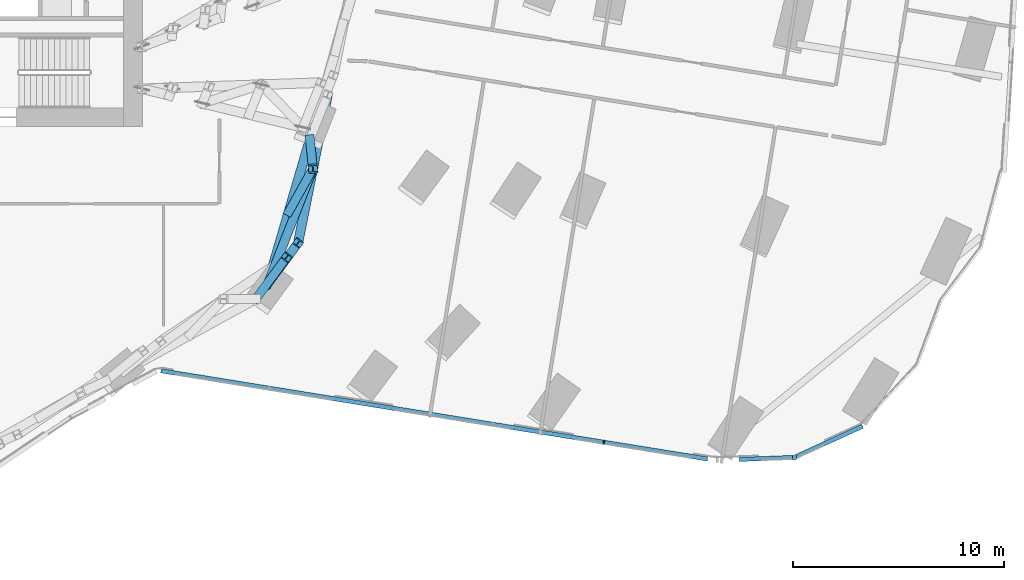
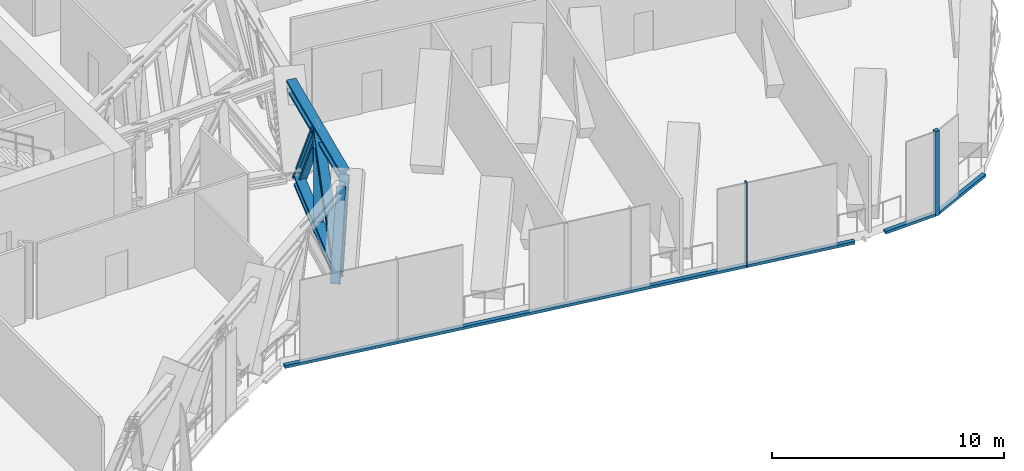
# One storey, part 9 of 39: 12 members, 3 elements without a shape of their own.
"""IFC4 building model written with IfcOpenShell, lengths in metres."""

from ifc_helpers import new_model, si_unit, direction, frame, origin, origin_2d, place, context, subcontext, project, spatial, rectangle, i_section, extrude, material, material_profile, profile_set, type_object, element, aggregate, save


model = new_model("IFC4")

# Units and contexts
model_context = context("Model", 3, precision=1e-05, world=origin(), true_north=direction((0.0, 1.0)))
body_context = subcontext(model_context, "Body", "Model", "MODEL_VIEW")
ifc_project = project(units=[si_unit("LENGTHUNIT", "METRE"), si_unit("AREAUNIT", "SQUARE_METRE"), si_unit("VOLUMEUNIT", "CUBIC_METRE"), si_unit("PLANEANGLEUNIT", "RADIAN"), si_unit("MASSUNIT", "GRAM", prefix="KILO")], contexts=[model_context])

# Site, building, storey
site_placement = place(None, origin())
site = spatial("IfcSite", under=ifc_project, at=site_placement, CompositionType="ELEMENT")
building_placement = place(site_placement, origin())
building = spatial("IfcBuilding", under=site, at=building_placement, Name="Orlundy Tower", CompositionType="ELEMENT")
storey_placement = place(building_placement, frame((0.0, 0.0, 141.199951171875)))
storey = spatial("IfcBuildingStorey", under=building, at=storey_placement, Name="L36", CompositionType="ELEMENT", Elevation=141.199951171875)

# Members
ifc_material_1 = material(Name="Steel ASTM A992 Gr 50", Category="steel")
ifc_material_profile_1 = material_profile(ifc_material_1, i_section(OverallWidth=0.4423828125, OverallDepth=0.531494140625, WebThickness=0.06591796875, FlangeThickness=0.105712890625, at=origin_2d()), Name="W14X605")
ifc_profile_set_1 = profile_set([ifc_material_profile_1], Name="Steel ASTM A992 Gr 50")
member_type_1 = type_object("IfcMemberType", Name="BELT TRUSS chord W14X605", PredefinedType="CHORD", material=ifc_profile_set_1)
member_1_placement = place(storey_placement, frame((24.92529296875, -19.48046875, 0.28466796875), z_axis=(0.280741187657, 0.959783509732, 0.0), x_axis=(-0.959783509732, 0.280741187657, 0.0)))
element("IfcMember", 1, at=member_1_placement, inside=storey, type_object=member_type_1, Name="Belt truss bottom chord BT-10", PredefinedType="CHORD", context=body_context, shape_type="SweptSolid", body=[
    extrude(i_section(OverallWidth=0.4423828125, OverallDepth=0.531494140625, WebThickness=0.06591796875, FlangeThickness=0.105712890625, at=origin_2d()), origin(), (0.0, 0.0, 1.0), 7.1708984375),
])
member_2_placement = place(storey_placement, frame((26.378662109375, -17.5048828125, 3.71533203125), z_axis=(0.195906646846, 0.980622550078, 0.0), x_axis=(-0.980622550078, 0.195906646846, 0.0)))
element("IfcMember", 2, at=member_2_placement, inside=storey, type_object=member_type_1, Name="Belt truss top chord BT-10", PredefinedType="CHORD", context=body_context, shape_type="SweptSolid", body=[
    extrude(i_section(OverallWidth=0.4423828125, OverallDepth=0.531494140625, WebThickness=0.06591796875, FlangeThickness=0.105712890625, at=origin_2d()), origin(), (0.0, 0.0, 1.0), 7.171875),
])
ifc_material_2 = material(Name="Steel ASTM A992 Gr 50", Category="steel")
ifc_material_profile_2 = material_profile(ifc_material_2, i_section(OverallWidth=0.42431640625, OverallDepth=0.47412109375, WebThickness=0.0478515625, FlangeThickness=0.0771484375, at=origin_2d()), Name="W14X426")
ifc_profile_set_2 = profile_set([ifc_material_profile_2], Name="Steel ASTM A992 Gr 50")
member_type_2 = type_object("IfcMemberType", Name="BELT TRUSS diagonal W14X426", PredefinedType="BRACE", material=ifc_profile_set_2)
member_3_placement = place(storey_placement, frame((24.92529296875, -19.48046875, 0.28466796875), z_axis=(0.315861631086, 0.804713845178, 0.502659981883), x_axis=(-0.930860089161, 0.365375826249, 0.0)))
element("IfcMember", 3, at=member_3_placement, inside=storey, type_object=member_type_2, Name="Belt truss diagonal BT-10-0", PredefinedType="BRACE", context=body_context, shape_type="SweptSolid", body=[
    extrude(i_section(OverallWidth=0.42431640625, OverallDepth=0.47412109375, WebThickness=0.0478515625, FlangeThickness=0.0771484375, at=origin_2d()), origin(), (0.0, 0.0, 1.0), 6.824951171875),
])
member_4_placement = place(storey_placement, frame((27.0810546875, -13.98828125, 3.71533203125), z_axis=(-0.038488347377, 0.375327291626, -0.926092906396), x_axis=(-0.994783256817, -0.102011136432, 0.0)))
element("IfcMember", 4, at=member_4_placement, inside=storey, type_object=member_type_2, Name="Belt truss diagonal BT-10-1", PredefinedType="BRACE", context=body_context, shape_type="SweptSolid", body=[
    extrude(i_section(OverallWidth=0.42431640625, OverallDepth=0.47412109375, WebThickness=0.0478515625, FlangeThickness=0.0771484375, at=origin_2d()), origin(), (0.0, 0.0, 1.0), 3.704345703125),
])
ifc_material_3 = material(Name="Steel ASTM A992 Gr 50", Category="steel")
ifc_material_profile_3 = material_profile(ifc_material_3, i_section(OverallWidth=0.412109375, OverallDepth=0.434814453125, WebThickness=0.035888671875, FlangeThickness=0.057373046875, at=origin_2d()), Name="W14X311")
ifc_profile_set_3 = profile_set([ifc_material_profile_3], Name="Steel ASTM A992 Gr 50")
member_type_3 = type_object("IfcMemberType", Name="BELT TRUSS post W14X311", PredefinedType="POST", material=ifc_profile_set_3)
for number, where, z_axis, x_axis, name in (
    (5, (24.378173828125, -20.160888671875, 0.28466796875), (0.344629886215, 0.468460446708, 0.813495575524), (-0.805508464514, 0.592584267085, 0.0), "Belt truss post BT-09-2"),
    (6, (24.92529296875, -19.48046875, 0.28466796875), (0.344629886215, 0.468460446708, 0.813495575524), (-0.805508464514, 0.592584267085, 0.0), "Belt truss post BT-10-0"),
):
    element("IfcMember", number, at=place(storey_placement, frame(where, z_axis=z_axis, x_axis=x_axis)), inside=storey, type_object=member_type_3, Name=name, PredefinedType="POST", context=body_context, shape_type="SweptSolid", body=[
        extrude(i_section(OverallWidth=0.412109375, OverallDepth=0.434814453125, WebThickness=0.035888671875, FlangeThickness=0.057373046875, at=origin_2d()), origin(), (0.0, 0.0, 1.0), 4.21728515625),
    ])
member_5_placement = place(storey_placement, frame((25.931884765625, -16.039306640625, 0.28466796875), z_axis=(0.276313410848, 0.493161029218, 0.824889749146), x_axis=(-0.872397976069, 0.488796247275, 0.0)))
element("IfcMember", 7, at=member_5_placement, inside=storey, type_object=member_type_3, Name="Belt truss post BT-10-1", PredefinedType="POST", context=body_context, shape_type="SweptSolid", body=[
    extrude(i_section(OverallWidth=0.412109375, OverallDepth=0.434814453125, WebThickness=0.035888671875, FlangeThickness=0.057373046875, at=origin_2d()), origin(), (0.0, 0.0, 1.0), 4.158935546875),
])

# Curtain wall, member
ifc_material_4 = material(Name="Aluminium bronze anodised", Category="aluminium")
curtain_wall_type = type_object("IfcCurtainWallType", Name="CW4 wall", PredefinedType="NOTDEFINED", material=ifc_material_4)
curtain_wall_1_placement = place(storey_placement, origin())
curtain_wall_1 = element("IfcCurtainWall", 8, at=curtain_wall_1_placement, inside=storey, type_object=curtain_wall_type, Name="CW4 run 040", PredefinedType="NOTDEFINED")
ifc_material_5 = material(Name="Aluminium bronze anodised", Category="aluminium")
ifc_material_profile_4 = material_profile(ifc_material_5, rectangle(XDim=0.199951171875, YDim=0.199951171875, at=origin_2d()), Name="CW4 corner post 200x200")
ifc_profile_set_4 = profile_set([ifc_material_profile_4], Name="Aluminium bronze anodised")
member_type_4 = type_object("IfcMemberType", Name="CW4 corner post 200x200", PredefinedType="MULLION", material=ifc_profile_set_4)
member_6_placement = place(storey_placement, frame((49.903564453125, -27.67431640625, -0.449951171875), z_axis=(0.0, 0.0, 1.0), x_axis=(0.036413082656, -0.999336823804, 0.0)))
member_6 = element("IfcMember", 9, at=member_6_placement, type_object=member_type_4, Name="CW4 mullion 69", PredefinedType="MULLION", context=body_context, shape_type="SweptSolid", body=[
    extrude(rectangle(XDim=0.199951171875, YDim=0.199951171875, at=origin_2d()), origin(), (0.0, 0.0, 1.0), 4.449951171875),
])

curtain_wall_2_placement = place(storey_placement, origin())
curtain_wall_2 = element("IfcCurtainWall", 10, at=curtain_wall_2_placement, inside=storey, type_object=curtain_wall_type, Name="CW4 run 041", PredefinedType="NOTDEFINED")
ifc_material_6 = material(Name="Aluminium bronze anodised", Category="aluminium")
ifc_material_profile_5 = material_profile(ifc_material_6, rectangle(XDim=0.199951171875, YDim=0.06005859375, at=origin_2d()), Name="CW4 mullion 60x200")
ifc_profile_set_5 = profile_set([ifc_material_profile_5], Name="Aluminium bronze anodised")
member_type_5 = type_object("IfcMemberType", Name="CW4 mullion 60x200", PredefinedType="MULLION", material=ifc_profile_set_5)
member_7_placement = place(storey_placement, frame((40.87060546875, -26.955322265625, -0.449951171875), z_axis=(0.0, 0.0, 1.0), x_axis=(-0.159311085453, -0.987228432558, 0.0)))
member_7 = element("IfcMember", 11, at=member_7_placement, type_object=member_type_5, Name="CW4 mullion 71", PredefinedType="MULLION", context=body_context, shape_type="SweptSolid", body=[
    extrude(rectangle(XDim=0.199951171875, YDim=0.06005859375, at=origin_2d()), origin(), (0.0, 0.0, 1.0), 4.449951171875),
])

curtain_wall_3_placement = place(storey_placement, origin())
curtain_wall_3 = element("IfcCurtainWall", 12, at=curtain_wall_3_placement, inside=storey, type_object=curtain_wall_type, Name="CW4 run 039", PredefinedType="NOTDEFINED")
ifc_material_7 = material(Name="Aluminium bronze anodised", Category="aluminium")
ifc_material_profile_6 = material_profile(ifc_material_7, rectangle(XDim=0.199951171875, YDim=0.14990234375, at=origin_2d()), Name="CW4 transom 200x150")
ifc_profile_set_6 = profile_set([ifc_material_profile_6], Name="Aluminium bronze anodised")
member_type_6 = type_object("IfcMemberType", Name="CW4 transom 200x150", PredefinedType="USERDEFINED", material=ifc_profile_set_6)
member_8_placement = place(storey_placement, frame((53.1318359375, -26.197021484375, -0.375), z_axis=(-0.909328823144, -0.416078227501, 0.0), x_axis=(0.416078227501, -0.909328823144, 0.0)))
member_8 = element("IfcMember", 13, at=member_8_placement, type_object=member_type_6, Name="CW4 transom", ObjectType="TRANSOM", PredefinedType="USERDEFINED", context=body_context, shape_type="SweptSolid", body=[
    extrude(rectangle(XDim=0.199951171875, YDim=0.14990234375, at=origin_2d()), origin(), (0.0, 0.0, 1.0), 3.44189453125),
])
aggregate(curtain_wall_3, [member_8])

# Member
member_9_placement = place(storey_placement, frame((49.803466796875, -27.677734375, -0.375), z_axis=(-0.99933642414, -0.036424049581, 0.0), x_axis=(0.036424049581, -0.99933642414, 0.0)))
member_9 = element("IfcMember", 14, at=member_9_placement, type_object=member_type_6, Name="CW4 transom", ObjectType="TRANSOM", PredefinedType="USERDEFINED", context=body_context, shape_type="SweptSolid", body=[
    extrude(rectangle(XDim=0.199951171875, YDim=0.14990234375, at=origin_2d()), origin(), (0.0, 0.0, 1.0), 2.520263671875),
])

aggregate(curtain_wall_1, [member_6, member_9])

member_10_placement = place(storey_placement, frame((45.784912109375, -27.748291015625, -0.375), z_axis=(-0.987228333904, 0.159311696801, 0.0), x_axis=(-0.159311696801, -0.987228333904, 0.0)))
member_10 = element("IfcMember", 15, at=member_10_placement, type_object=member_type_6, Name="CW4 transom", ObjectType="TRANSOM", PredefinedType="USERDEFINED", context=body_context, shape_type="SweptSolid", body=[
    extrude(rectangle(XDim=0.199951171875, YDim=0.14990234375, at=origin_2d()), origin(), (0.0, 0.0, 1.0), 26.2451171875),
])

aggregate(curtain_wall_2, [member_7, member_10])

save(model, "model.ifc")
